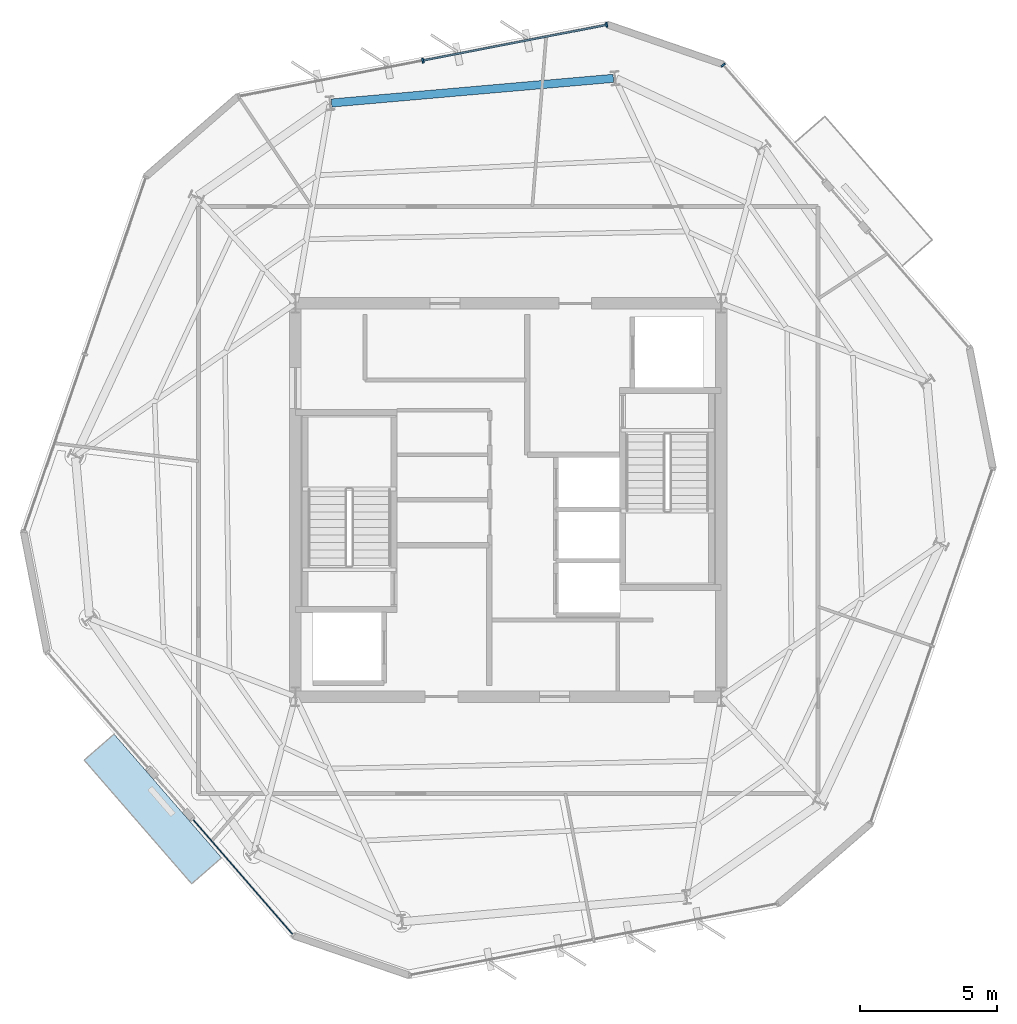
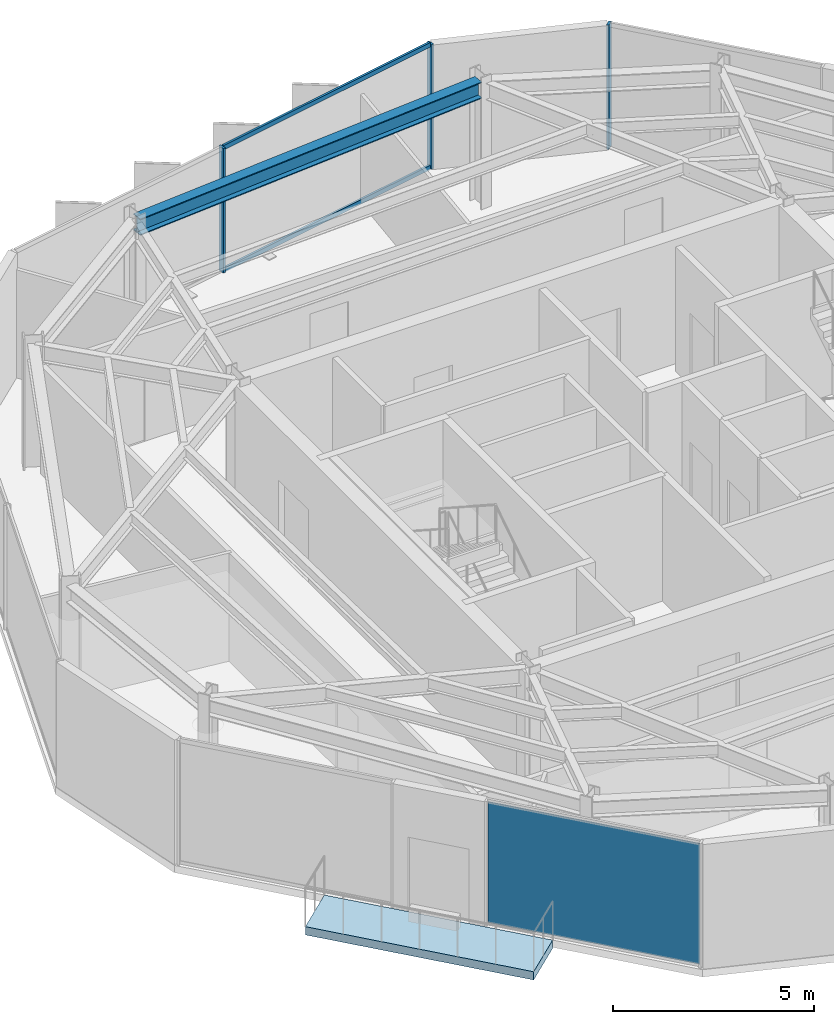
# One storey, part 5 of 10: 5 members, 1 beam, 1 plate, 1 slab, 3 elements without a shape of their own.
"""IFC4 building model written with IfcOpenShell, lengths in metres."""

import ifcopenshell
import ifcopenshell.guid

model = None  # the IFC model being written
_history = None  # IfcOwnerHistory: only IFC2X3 demands one
_inside = {}  # id of a spatial element -> (the spatial element, [elements in it])
_under = {}  # id of a project, library or spatial element -> (it, [spatial elements below it])
_declared = {}  # id of a project -> (the project, [libraries it declares])
_typed = {}  # id of a type object -> (the type object, [elements of that type])
_made_of = {}  # id of a material, layer set ... -> (it, [elements and type objects made of it])


def new_model(schema):
    """Start an empty IFC model of exactly this schema.

    Asked for "IFC4X3", IfcOpenShell would pick the latest addendum, in which some entities
    have other attributes; the version numbers below select the first issue.
    IFC2X3 requires an IfcOwnerHistory on every rooted entity: one is made here for all.
    """
    global model, _history
    if schema == "IFC4X3":
        model = ifcopenshell.file(schema_version=(4, 3, 0, 0))
    else:
        model = ifcopenshell.file(schema=schema)
    _inside.clear()
    _under.clear()
    _declared.clear()
    _typed.clear()
    _made_of.clear()
    _history = None
    if model.schema == "IFC2X3":
        org = make("IfcOrganization", Name="unknown")
        user = make(
            "IfcPersonAndOrganization",
            ThePerson=make("IfcPerson", FamilyName="unknown"),
            TheOrganization=org,
        )
        app = make(
            "IfcApplication",
            ApplicationDeveloper=org,
            Version="unknown",
            ApplicationFullName="unknown",
            ApplicationIdentifier="unknown",
        )
        _history = make(
            "IfcOwnerHistory",
            OwningUser=user,
            OwningApplication=app,
            ChangeAction="ADDED",
            CreationDate=0,
        )
    return model


def make(cls, **values):
    """One entity of the class cls with the attributes given. An attribute that is None is left unset."""
    return model.create_entity(
        cls, **{name: value for name, value in values.items() if value is not None}
    )


def rooted(cls, **values):
    """An entity with a GlobalId (a new one), such as an element, a storey or a relation."""
    return make(cls, GlobalId=ifcopenshell.guid.new(), OwnerHistory=_history, **values)


def si_unit(unit_type, name, prefix=None):
    """IfcSIUnit, for example si_unit("LENGTHUNIT", "METRE", prefix="MILLI")."""
    return make("IfcSIUnit", UnitType=unit_type, Prefix=prefix, Name=name)


def assignment(units):
    """IfcUnitAssignment: the units of a project."""
    return None if units is None else make("IfcUnitAssignment", Units=units)


def point(xyz):
    """IfcCartesianPoint."""
    return None if xyz is None else make("IfcCartesianPoint", Coordinates=xyz)


def direction(xyz):
    """IfcDirection."""
    return None if xyz is None else make("IfcDirection", DirectionRatios=xyz)


def frame(location, z_axis=None, x_axis=None):
    """IfcAxis2Placement3D, a coordinate frame: its origin and axes. An axis left out is left unset."""
    return make(
        "IfcAxis2Placement3D",
        Location=point(location),
        Axis=direction(z_axis),
        RefDirection=direction(x_axis),
    )


def frame_2d(location, x_axis=None):
    """IfcAxis2Placement2D, a coordinate frame in the plane: its origin and x axis."""
    return make(
        "IfcAxis2Placement2D", Location=point(location), RefDirection=direction(x_axis)
    )


def origin():
    """The frame at (0, 0, 0) with its axes left unset."""
    return frame((0.0, 0.0, 0.0))


def origin_2d():
    """The frame at (0, 0) in the plane with its x axis left unset."""
    return frame_2d((0.0, 0.0))


def place(relative_to, where):
    """IfcLocalPlacement: puts the frame where relative to a parent placement (None: the world)."""
    return make(
        "IfcLocalPlacement", PlacementRelTo=relative_to, RelativePlacement=where
    )


def context(
    kind, dimensions, precision=None, world=None, true_north=None, identifier=None
):
    """IfcGeometricRepresentationContext, for example the 3D "Model" context."""
    return make(
        "IfcGeometricRepresentationContext",
        ContextIdentifier=identifier,
        ContextType=kind,
        CoordinateSpaceDimension=dimensions,
        Precision=precision,
        WorldCoordinateSystem=world,
        TrueNorth=true_north,
    )


def subcontext(parent, identifier, kind, view, scale=None):
    """IfcGeometricRepresentationSubContext, for example "Body" below "Model"."""
    return make(
        "IfcGeometricRepresentationSubContext",
        ContextIdentifier=identifier,
        ContextType=kind,
        ParentContext=parent,
        TargetScale=scale,
        TargetView=view,
    )


def project(units=None, contexts=None):
    """IfcProject with its units and contexts."""
    return rooted(
        "IfcProject",
        Name="project",
        RepresentationContexts=contexts,
        UnitsInContext=assignment(units),
    )


def spatial(cls, under=None, at=None, **own):
    """A site, building, storey or space (cls), placed at a placement, below another one or the project."""
    s = rooted(cls, ObjectPlacement=at, **own)
    if under is not None:
        _under.setdefault(under.id(), (under, []))[1].append(s)
    return s


def polyline(points):
    """IfcPolyline through the points."""
    return make("IfcPolyline", Points=[point(p) for p in points])


def profile(cls, at=None, kind="AREA", **sizes):
    """A parametric profile (cls). Its sizes go by their IFC names, for example OverallWidth=200.0."""
    return make(cls, ProfileType=kind, Position=at, **sizes)


def rectangle(**sizes):
    """IfcRectangleProfileDef."""
    return profile("IfcRectangleProfileDef", **sizes)


def i_section(**sizes):
    """IfcIShapeProfileDef."""
    return profile("IfcIShapeProfileDef", **sizes)


def outline(outer, holes=None, kind="AREA"):
    """IfcArbitraryClosedProfileDef: a profile drawn as a closed curve; with holes, ...WithVoids."""
    if holes is None:
        return make("IfcArbitraryClosedProfileDef", ProfileType=kind, OuterCurve=outer)
    return make(
        "IfcArbitraryProfileDefWithVoids",
        ProfileType=kind,
        OuterCurve=outer,
        InnerCurves=holes,
    )


def extrude(swept, where, along, depth):
    """IfcExtrudedAreaSolid: the profile swept, set in the frame where, extruded along a direction by depth."""
    return make(
        "IfcExtrudedAreaSolid",
        SweptArea=swept,
        Position=where,
        ExtrudedDirection=direction(along),
        Depth=depth,
    )


def shape(context_of_items, identifier, shape_type, items):
    """IfcShapeRepresentation: the items that make up one representation, for example the "Body"."""
    return make(
        "IfcShapeRepresentation",
        ContextOfItems=context_of_items,
        RepresentationIdentifier=identifier,
        RepresentationType=shape_type,
        Items=items,
    )


def material(Name=None, Category=None):
    """IfcMaterial."""
    return make("IfcMaterial", Name=Name, Category=Category)


def layer(
    of_material, thickness, ventilated=None, Name=None, Category=None, Priority=None
):
    """IfcMaterialLayer: one layer of a wall or slab, of a material (None: an air gap)."""
    return make(
        "IfcMaterialLayer",
        Material=of_material,
        LayerThickness=thickness,
        IsVentilated=ventilated,
        Name=Name,
        Category=Category,
        Priority=Priority,
    )


def layer_set(layers, Name=None):
    """IfcMaterialLayerSet."""
    return make("IfcMaterialLayerSet", MaterialLayers=layers, LayerSetName=Name)


def material_profile(
    of_material, cross_section, Name=None, Category=None, Priority=None
):
    """IfcMaterialProfile: a cross section and its material."""
    return make(
        "IfcMaterialProfile",
        Name=Name,
        Material=of_material,
        Profile=cross_section,
        Priority=Priority,
        Category=Category,
    )


def profile_set(profiles, Name=None, composite=None):
    """IfcMaterialProfileSet."""
    return make(
        "IfcMaterialProfileSet",
        Name=Name,
        MaterialProfiles=profiles,
        CompositeProfile=composite,
    )


def made_of(thing, what):
    """Note that an element or type object is made of a material, layer set ...; save() writes the relation."""
    if what is not None:
        _made_of.setdefault(what.id(), (what, []))[1].append(thing)
    return thing


def type_object(cls, material=None, **own):
    """A type object (cls), such as IfcWallType, which elements share."""
    return made_of(rooted(cls, **own), material)


def element(
    cls,
    number,
    at=None,
    inside=None,
    cuts=None,
    type_object=None,
    material=None,
    context=None,
    identifier="Body",
    shape_type=None,
    held_by="IfcProductDefinitionShape",
    body=None,
    shapes=None,
    **own,
):
    """One element of the class cls, such as IfcWall. Its Tag is "e" and its number.

    at: its placement. inside: the storey or other place that contains it. cuts: it is an
    opening in that element (IfcRelVoidsElement). A single representation is given by context,
    identifier, shape_type and body (its items); several are given by shapes. held_by: the class
    of the entity that holds the representations. save() writes the other relations.
    """
    e = rooted(cls, Tag="e%d" % number, ObjectPlacement=at, **own)
    if body is not None:
        shapes = [shape(context, identifier, shape_type, body)]
    if shapes is not None:
        e.Representation = make(held_by, Representations=shapes)
    if inside is not None:
        _inside.setdefault(inside.id(), (inside, []))[1].append(e)
    if cuts is not None:
        rooted(
            "IfcRelVoidsElement", RelatingBuildingElement=cuts, RelatedOpeningElement=e
        )
    if type_object is not None:
        _typed.setdefault(type_object.id(), (type_object, []))[1].append(e)
    return made_of(e, material)


def aggregate(whole, parts):
    """IfcRelAggregates: a whole, such as a stair, and the parts it consists of."""
    return rooted("IfcRelAggregates", RelatingObject=whole, RelatedObjects=parts)


def save(model, path):
    """Write the relations noted so far, then the file.

    IfcRelAggregates (storeys below a building ...), IfcRelContainedInSpatialStructure (elements
    in a storey), IfcRelDefinesByType, IfcRelAssociatesMaterial and IfcRelDeclares: one each for
    every whole, place, type object, material and project.
    """
    for whole, parts in _under.values():
        aggregate(whole, parts)
    for where, things in _inside.values():
        rooted(
            "IfcRelContainedInSpatialStructure",
            RelatedElements=things,
            RelatingStructure=where,
        )
    for kind, things in _typed.values():
        rooted("IfcRelDefinesByType", RelatedObjects=things, RelatingType=kind)
    for what, things in _made_of.values():
        rooted("IfcRelAssociatesMaterial", RelatedObjects=things, RelatingMaterial=what)
    for by, libraries in _declared.values():
        rooted("IfcRelDeclares", RelatingContext=by, RelatedDefinitions=libraries)
    model.write(path)


model = new_model("IFC4")

# Units and contexts
model_context = context("Model", 3, precision=1e-05, world=origin(), true_north=direction((0.0, 1.0)))
body_context = subcontext(model_context, "Body", "Model", "MODEL_VIEW")
ifc_project = project(units=[si_unit("LENGTHUNIT", "METRE"), si_unit("AREAUNIT", "SQUARE_METRE"), si_unit("VOLUMEUNIT", "CUBIC_METRE"), si_unit("PLANEANGLEUNIT", "RADIAN"), si_unit("MASSUNIT", "GRAM", prefix="KILO")], contexts=[model_context])

# Site, building, storey
site_placement = place(None, origin())
site = spatial("IfcSite", under=ifc_project, at=site_placement, CompositionType="ELEMENT")
building_placement = place(site_placement, origin())
building = spatial("IfcBuilding", under=site, at=building_placement, Name="Kranzbogen Civic Tower", CompositionType="ELEMENT")
storey_placement = place(building_placement, frame((0.0, 0.0, 310.199951171875)))
storey = spatial("IfcBuildingStorey", under=building, at=storey_placement, Name="L75", CompositionType="ELEMENT", Elevation=310.199951171875)

# Curtain wall, members
ifc_material_1 = material(Name="Pale Anodised Aluminium", Category="aluminium")
ifc_layer_1 = layer(ifc_material_1, 0.219970703125, Name="Pale Anodised Aluminium")
ifc_layer_set_1 = layer_set([ifc_layer_1], Name="Pale Anodised Aluminium")
curtain_wall_type = type_object("IfcCurtainWallType", Name="Zone 4 Stick Curtain Wall System CW-05", PredefinedType="USERDEFINED", material=ifc_layer_set_1)
curtain_wall_1_placement = place(storey_placement, origin())
curtain_wall_1 = element("IfcCurtainWall", 1, at=curtain_wall_1_placement, inside=storey, type_object=curtain_wall_type, Name="L75 curtain wall CW-L75-F1", ObjectType="STICK CURTAIN WALL", PredefinedType="USERDEFINED")
ifc_material_profile_1 = material_profile(ifc_material_1, rectangle(XDim=0.06494140625, YDim=0.179931640625, at=origin_2d()), Name="ALU-M 65x180")
ifc_profile_set_1 = profile_set([ifc_material_profile_1], Name="Pale Anodised Aluminium")
member_type_1 = type_object("IfcMemberType", Name="Curtain Wall Mullion ALU-M 65x180", PredefinedType="MULLION", material=ifc_profile_set_1)
member_1_placement = place(storey_placement, frame((28.603515625, 42.4033203125, 0.0), z_axis=(0.0, 0.0, 1.0), x_axis=(-0.981635407252, -0.190766682701, 0.0)))
member_1 = element("IfcMember", 2, at=member_1_placement, type_object=member_type_1, Name="CW-05 mullion 1", PredefinedType="MULLION", context=body_context, shape_type="SweptSolid", body=[
    extrude(rectangle(XDim=0.06494140625, YDim=0.179931640625, at=origin_2d()), origin(), (0.0, 0.0, 1.0), 3.780029296875),
])
member_2_placement = place(storey_placement, frame((21.87158203125, 41.094970703125, 0.0), z_axis=(0.0, 0.0, 1.0), x_axis=(-0.981635407252, -0.190766682701, 0.0)))
member_2 = element("IfcMember", 3, at=member_2_placement, type_object=member_type_1, Name="CW-05 mullion 2", PredefinedType="MULLION", context=body_context, shape_type="SweptSolid", body=[
    extrude(rectangle(XDim=0.06494140625, YDim=0.179931640625, at=origin_2d()), origin(), (0.0, 0.0, 1.0), 3.780029296875),
])

# Curtain wall, member
curtain_wall_2_placement = place(storey_placement, origin())
curtain_wall_2 = element("IfcCurtainWall", 4, at=curtain_wall_2_placement, inside=storey, type_object=curtain_wall_type, Name="L75 curtain wall CW-L75-F6-S2", ObjectType="STICK CURTAIN WALL", PredefinedType="USERDEFINED")
member_3_placement = place(storey_placement, frame((32.874755859375, 40.932373046875, 0.0), z_axis=(0.0, 0.0, 1.0), x_axis=(-0.656074252313, 0.754696346521, 0.0)))
member_3 = element("IfcMember", 5, at=member_3_placement, type_object=member_type_1, Name="CW-05 mullion 2", PredefinedType="MULLION", context=body_context, shape_type="SweptSolid", body=[
    extrude(rectangle(XDim=0.06494140625, YDim=0.179931640625, at=origin_2d()), origin(), (0.0, 0.0, 1.0), 3.780029296875),
])
aggregate(curtain_wall_2, [member_3])

# Member
ifc_material_profile_2 = material_profile(ifc_material_1, rectangle(XDim=0.06494140625, YDim=0.135009765625, at=origin_2d()), Name="ALU-T 65x135")
ifc_profile_set_2 = profile_set([ifc_material_profile_2], Name="Pale Anodised Aluminium")
member_type_2 = type_object("IfcMemberType", Name="Curtain Wall Transom ALU-T 65x135", PredefinedType="USERDEFINED", material=ifc_profile_set_2)
member_4_placement = place(storey_placement, frame((28.57421875, 42.3974609375, 0.030029296875), z_axis=(-0.981641920978, -0.190733161715, 0.0), x_axis=(0.190733161715, -0.981641920978, 0.0)))
member_4 = element("IfcMember", 6, at=member_4_placement, type_object=member_type_2, Name="CW-05 transom 1.1", ObjectType="TRANSOM", PredefinedType="USERDEFINED", context=body_context, shape_type="SweptSolid", body=[
    extrude(rectangle(XDim=0.06494140625, YDim=0.135009765625, at=origin_2d()), origin(), (0.0, 0.0, 1.0), 6.798095703125),
])

member_5_placement = place(storey_placement, frame((28.57421875, 42.3974609375, 3.75), z_axis=(-0.981641920978, -0.190733161715, 0.0), x_axis=(0.190733161715, -0.981641920978, 0.0)))
member_5 = element("IfcMember", 7, at=member_5_placement, type_object=member_type_2, Name="CW-05 transom 1.2", ObjectType="TRANSOM", PredefinedType="USERDEFINED", context=body_context, shape_type="SweptSolid", body=[
    extrude(rectangle(XDim=0.06494140625, YDim=0.135009765625, at=origin_2d()), origin(), (0.0, 0.0, 1.0), 6.798095703125),
])

aggregate(curtain_wall_1, [member_1, member_2, member_4, member_5])

# Beam
ifc_material_2 = material(Name="Steel S355", Category="steel")
ifc_material_profile_3 = material_profile(ifc_material_2, i_section(OverallWidth=0.300048828125, OverallDepth=0.5, WebThickness=0.014404296875, FlangeThickness=0.028076171875, at=origin_2d()), Name="HEB 500")
ifc_profile_set_3 = profile_set([ifc_material_profile_3], Name="Steel S355")
beam_type = type_object("IfcBeamType", Name="Perimeter Tube Spandrel Beam HEB 500", PredefinedType="SPANDREL", material=ifc_profile_set_3)
beam_placement = place(storey_placement, frame((28.84912109375, 40.445068359375, 3.530029296875), z_axis=(-0.996186373839, -0.087250837114, 0.0), x_axis=(0.087250837114, -0.996186373839, 0.0)))
element("IfcBeam", 8, at=beam_placement, inside=storey, type_object=beam_type, Name="L75 perimeter spandrel beam 09", PredefinedType="SPANDREL", context=body_context, shape_type="SweptSolid", body=[
    extrude(i_section(OverallWidth=0.300048828125, OverallDepth=0.5, WebThickness=0.014404296875, FlangeThickness=0.028076171875, at=origin_2d()), origin(), (0.0, 0.0, 1.0), 10.361572265625),
])

# Curtain wall, plate
curtain_wall_3_placement = place(storey_placement, origin())
curtain_wall_3 = element("IfcCurtainWall", 9, at=curtain_wall_3_placement, inside=storey, type_object=curtain_wall_type, Name="L75 curtain wall CW-L75-F3-S2", ObjectType="STICK CURTAIN WALL", PredefinedType="USERDEFINED")
ifc_material_3 = material(Name="Low-E Triple Glazing Glass", Category="glass")
ifc_layer_2 = layer(ifc_material_3, 0.028076171875, Name="Low-E Triple Glazing Glass")
ifc_layer_set_2 = layer_set([ifc_layer_2], Name="Low-E Triple Glazing Glass")
plate_type = type_object("IfcPlateType", Name="Insulated Low-E Glazing Panel 28 mm", PredefinedType="CURTAIN_PANEL", material=ifc_layer_set_2)
plate_placement = place(storey_placement, frame((15.279052734375, 11.19140625, 0.06005859375), z_axis=(0.0, 0.0, 1.0), x_axis=(0.656074252313, -0.754696346521, 0.0)))
plate = element("IfcPlate", 10, at=plate_placement, type_object=plate_type, Name="CW-05 panel 1.1", PredefinedType="CURTAIN_PANEL", context=body_context, shape_type="SweptSolid", body=[
    extrude(rectangle(XDim=5.568359375, YDim=0.028076171875, at=origin_2d()), origin(), (0.0, 0.0, 1.0), 3.659912109375),
])
aggregate(curtain_wall_3, [plate])

# Slab
ifc_material_4 = material(Name="Concrete C40/50", Category="concrete")
ifc_layer_3 = layer(ifc_material_4, 0.25, Name="Concrete C40/50")
ifc_layer_set_3 = layer_set([ifc_layer_3], Name="Concrete C40/50")
slab_type = type_object("IfcSlabType", Name="Tree Balcony Cantilevered Slab 250 mm", PredefinedType="FLOOR", material=ifc_layer_set_3)
slab_placement = place(storey_placement, frame((0.0, 0.0, -0.25)))
element("IfcSlab", 11, at=slab_placement, inside=storey, type_object=slab_type, Name="L75 cantilevered tree balcony L75-TB1", PredefinedType="FLOOR", context=body_context, shape_type="SweptSolid", body=[
    extrude(outline(polyline([(10.56005859375, 16.423095703125), (14.4970703125, 11.89404296875), (13.403076171875, 10.943115234375), (9.466064453125, 15.471923828125), (10.56005859375, 16.423095703125)])), origin(), (0.0, 0.0, 1.0), 0.25),
])

save(model, "model.ifc")
